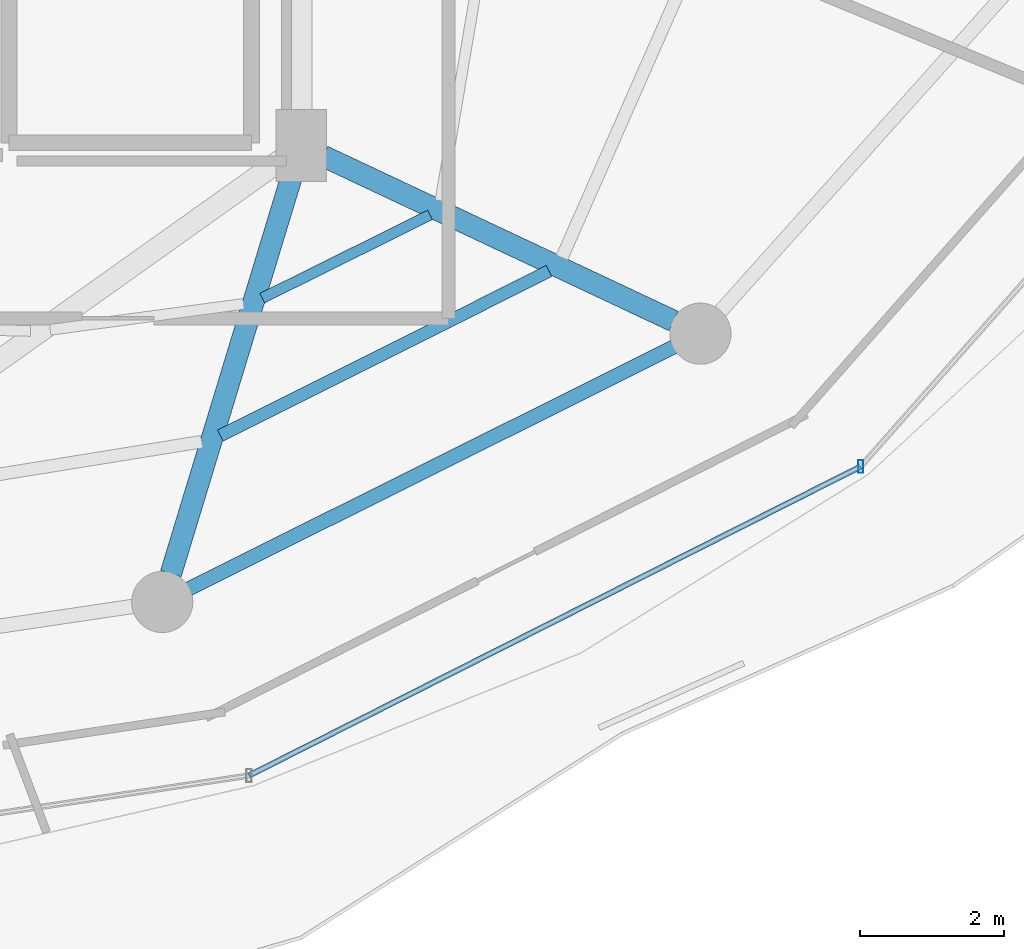
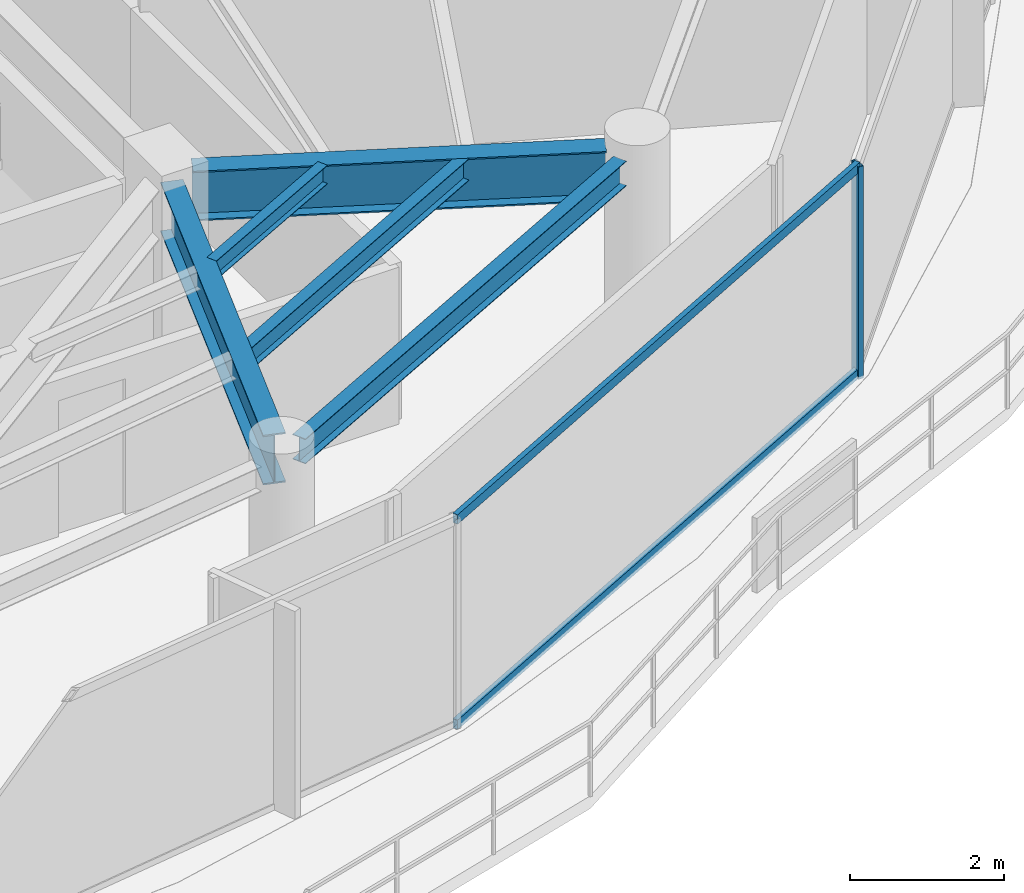
# One storey, part 11 of 30: 5 beams, 3 members, 1 element without a shape of its own.
"""IFC4 building model written with IfcOpenShell, lengths in metres."""

from ifc_helpers import new_model, si_unit, direction, frame, origin, origin_2d, place, context, subcontext, project, spatial, hollow_rectangle, i_section, extrude, material, material_profile, profile_set, type_object, element, aggregate, save


model = new_model("IFC4")

# Units and contexts
model_context = context("Model", 3, precision=1e-05, world=origin(), true_north=direction((0.0, 1.0)))
body_context = subcontext(model_context, "Body", "Model", "MODEL_VIEW")
ifc_project = project(units=[si_unit("LENGTHUNIT", "METRE"), si_unit("AREAUNIT", "SQUARE_METRE"), si_unit("VOLUMEUNIT", "CUBIC_METRE"), si_unit("PLANEANGLEUNIT", "RADIAN"), si_unit("MASSUNIT", "GRAM", prefix="KILO")], contexts=[model_context])

# Site, building, storey
site_placement = place(None, origin())
site = spatial("IfcSite", under=ifc_project, at=site_placement, CompositionType="ELEMENT")
building_placement = place(site_placement, origin())
building = spatial("IfcBuilding", under=site, at=building_placement, Name="Vorneva Point Tower", CompositionType="ELEMENT")
storey_placement = place(building_placement, frame((0.0, 0.0, 234.25)))
storey = spatial("IfcBuildingStorey", under=building, at=storey_placement, Name="L63", CompositionType="ELEMENT", Elevation=234.25)

# Beams
ifc_material_1 = material(Name="Steel S355", Category="steel")
ifc_material_profile_1 = material_profile(ifc_material_1, i_section(OverallWidth=0.300048828125, OverallDepth=0.7880859375, WebThickness=0.014404296875, FlangeThickness=0.02197265625, at=origin_2d()), Name="80Sh1")
ifc_profile_set_1 = profile_set([ifc_material_profile_1], Name="Steel S355")
beam_type_1 = type_object("IfcBeamType", Name="BM-GRD-80Sh1", PredefinedType="USERDEFINED", material=ifc_profile_set_1)
beam_1_placement = place(storey_placement, frame((46.941162109375, 10.50439453125, 2.89599609375), z_axis=(0.291032624293, 0.956713129207, 0.0), x_axis=(-0.956713129207, 0.291032624293, 0.0)))
element("IfcBeam", 1, at=beam_1_placement, inside=storey, type_object=beam_type_1, Name="L63 Radial Primary Girder 14", ObjectType="GIRDER", PredefinedType="USERDEFINED", context=body_context, shape_type="SweptSolid", body=[
    extrude(i_section(OverallWidth=0.300048828125, OverallDepth=0.7880859375, WebThickness=0.014404296875, FlangeThickness=0.02197265625, at=origin_2d()), origin(), (0.0, 0.0, 1.0), 5.874755859375),
])
beam_2_placement = place(storey_placement, frame((53.925048828125, 14.013671875, 2.89599609375), z_axis=(-0.904750812805, 0.425941271455, 0.0), x_axis=(-0.425941271455, -0.904750812805, 0.0)))
element("IfcBeam", 2, at=beam_2_placement, inside=storey, type_object=beam_type_1, Name="L63 Radial Primary Girder 15", ObjectType="GIRDER", PredefinedType="USERDEFINED", context=body_context, shape_type="SweptSolid", body=[
    extrude(i_section(OverallWidth=0.300048828125, OverallDepth=0.7880859375, WebThickness=0.014404296875, FlangeThickness=0.02197265625, at=origin_2d()), origin(), (0.0, 0.0, 1.0), 5.3798828125),
])
ifc_material_profile_2 = material_profile(ifc_material_1, i_section(OverallWidth=0.14892578125, OverallDepth=0.298095703125, WebThickness=0.005615234375, FlangeThickness=0.008056640625, at=origin_2d()), Name="30B1")
ifc_profile_set_2 = profile_set([ifc_material_profile_2], Name="Steel S355")
beam_type_2 = type_object("IfcBeamType", Name="BM-JST-30B1", PredefinedType="JOIST", material=ifc_profile_set_2)
beam_3_placement = place(storey_placement, frame((48.210205078125, 14.331298828125, 3.14111328125), z_axis=(0.895737278739, 0.444583768796, 0.0), x_axis=(-0.444583768796, 0.895737278739, 0.0)))
element("IfcBeam", 3, at=beam_3_placement, inside=storey, type_object=beam_type_2, Name="L63 Secondary Floor Beam 2.14", PredefinedType="JOIST", context=body_context, shape_type="SweptSolid", body=[
    extrude(i_section(OverallWidth=0.14892578125, OverallDepth=0.298095703125, WebThickness=0.005615234375, FlangeThickness=0.008056640625, at=origin_2d()), origin(), (0.0, 0.0, 1.0), 2.601318359375),
])
ifc_material_profile_3 = material_profile(ifc_material_1, i_section(OverallWidth=0.174072265625, OverallDepth=0.345947265625, WebThickness=0.006103515625, FlangeThickness=0.009033203125, at=origin_2d()), Name="35B1")
ifc_profile_set_3 = profile_set([ifc_material_profile_3], Name="Steel S355")
beam_type_3 = type_object("IfcBeamType", Name="BM-SEC-35B1", PredefinedType="BEAM", material=ifc_profile_set_3)
beam_4_placement = place(storey_placement, frame((47.62890625, 12.4208984375, 3.116943359375), z_axis=(0.894121037804, 0.447825378643, 0.0), x_axis=(-0.447825378643, 0.894121037804, 0.0)))
element("IfcBeam", 4, at=beam_4_placement, inside=storey, type_object=beam_type_3, Name="L63 Secondary Floor Beam 1.14", PredefinedType="BEAM", context=body_context, shape_type="SweptSolid", body=[
    extrude(i_section(OverallWidth=0.174072265625, OverallDepth=0.345947265625, WebThickness=0.006103515625, FlangeThickness=0.009033203125, at=origin_2d()), origin(), (0.0, 0.0, 1.0), 5.107177734375),
])
ifc_material_profile_4 = material_profile(ifc_material_1, i_section(OverallWidth=0.198974609375, OverallDepth=0.39599609375, WebThickness=0.007080078125, FlangeThickness=0.010986328125, at=origin_2d()), Name="40B1")
ifc_profile_set_4 = profile_set([ifc_material_profile_4], Name="Steel S355")
beam_type_4 = type_object("IfcBeamType", Name="BM-SPN-40B1", PredefinedType="SPANDREL", material=ifc_profile_set_4)
beam_5_placement = place(storey_placement, frame((47.187744140625, 10.292236328125, 3.092041015625), z_axis=(0.894932011528, 0.446202526599, 0.0), x_axis=(-0.446202526599, 0.894932011528, 0.0)))
element("IfcBeam", 5, at=beam_5_placement, inside=storey, type_object=beam_type_4, Name="L63 Perimeter Spandrel Ring Beam 14", PredefinedType="SPANDREL", context=body_context, shape_type="SweptSolid", body=[
    extrude(i_section(OverallWidth=0.198974609375, OverallDepth=0.39599609375, WebThickness=0.007080078125, FlangeThickness=0.010986328125, at=origin_2d()), origin(), (0.0, 0.0, 1.0), 7.535888671875),
])

# Curtain wall, members
ifc_material_2 = material(Name="Pale anodised aluminium", Category="aluminium")
curtain_wall_type = type_object("IfcCurtainWallType", Name="CW-RES-SYS", PredefinedType="NOTDEFINED", material=ifc_material_2)
curtain_wall_placement = place(storey_placement, origin())
curtain_wall = element("IfcCurtainWall", 6, at=curtain_wall_placement, inside=storey, type_object=curtain_wall_type, Name="L63 Unitised Curtain Wall CW-L63-R04", PredefinedType="NOTDEFINED")
ifc_material_profile_5 = material_profile(ifc_material_2, hollow_rectangle(XDim=0.074951171875, YDim=0.179931640625, WallThickness=0.00390625, at=origin_2d()), Name="AL-MUL 180x75x4")
ifc_profile_set_5 = profile_set([ifc_material_profile_5], Name="Pale anodised aluminium")
member_type_1 = type_object("IfcMemberType", Name="CW-MUL-180", PredefinedType="MULLION", material=ifc_profile_set_5)
member_1_placement = place(storey_placement, frame((56.526123046875, 11.9921875, -0.0400390625), z_axis=(0.0, 0.0, 1.0), x_axis=(1.0, 0.0, 0.0)))
member_1 = element("IfcMember", 7, at=member_1_placement, type_object=member_type_1, Name="CW-L63-R04 Mullion 05", PredefinedType="MULLION", context=body_context, shape_type="SweptSolid", body=[
    extrude(hollow_rectangle(XDim=0.074951171875, YDim=0.179931640625, WallThickness=0.00390625, at=origin_2d()), origin(), (0.0, 0.0, 1.0), 3.360107421875),
])
ifc_material_profile_6 = material_profile(ifc_material_2, hollow_rectangle(XDim=0.074951171875, YDim=0.14990234375, WallThickness=0.00390625, at=origin_2d()), Name="AL-TRN 150x75x4")
ifc_profile_set_6 = profile_set([ifc_material_profile_6], Name="Pale anodised aluminium")
member_type_2 = type_object("IfcMemberType", Name="CW-TRN-150", PredefinedType="USERDEFINED", material=ifc_profile_set_6)
member_2_placement = place(storey_placement, frame((48.0263671875, 7.697998046875, 0.02001953125), z_axis=(0.892558185815, 0.450932239848, 0.0), x_axis=(-0.450932239848, 0.892558185815, 0.0)))
member_2 = element("IfcMember", 8, at=member_2_placement, type_object=member_type_2, Name="CW-L63-R04 Transom 04.1", ObjectType="TRANSOM", PredefinedType="USERDEFINED", context=body_context, shape_type="SweptSolid", body=[
    extrude(hollow_rectangle(XDim=0.074951171875, YDim=0.14990234375, WallThickness=0.00390625, at=origin_2d()), origin(), (0.0, 0.0, 1.0), 9.52294921875),
])
member_3_placement = place(storey_placement, frame((48.0263671875, 7.697998046875, 3.27001953125), z_axis=(0.892558185815, 0.450932239848, 0.0), x_axis=(-0.450932239848, 0.892558185815, 0.0)))
member_3 = element("IfcMember", 9, at=member_3_placement, type_object=member_type_2, Name="CW-L63-R04 Transom 04.2", ObjectType="TRANSOM", PredefinedType="USERDEFINED", context=body_context, shape_type="SweptSolid", body=[
    extrude(hollow_rectangle(XDim=0.074951171875, YDim=0.14990234375, WallThickness=0.00390625, at=origin_2d()), origin(), (0.0, 0.0, 1.0), 9.52294921875),
])
aggregate(curtain_wall, [member_1, member_2, member_3])

save(model, "model.ifc")
